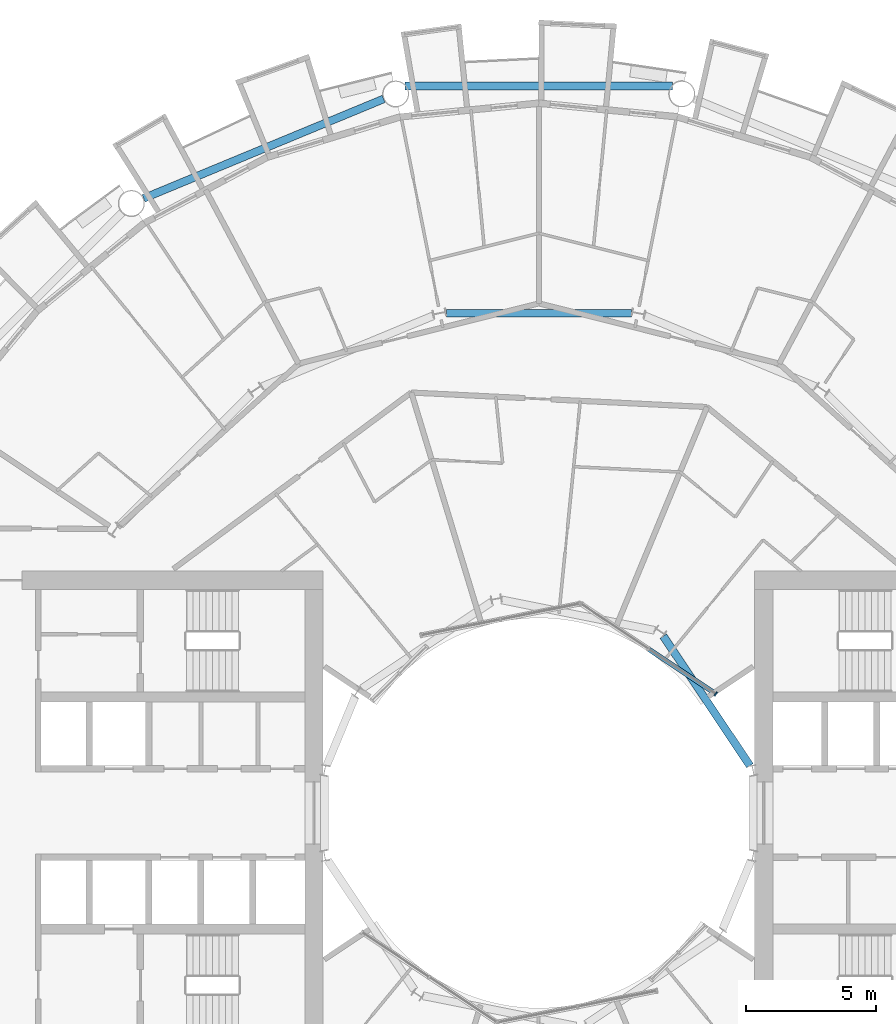
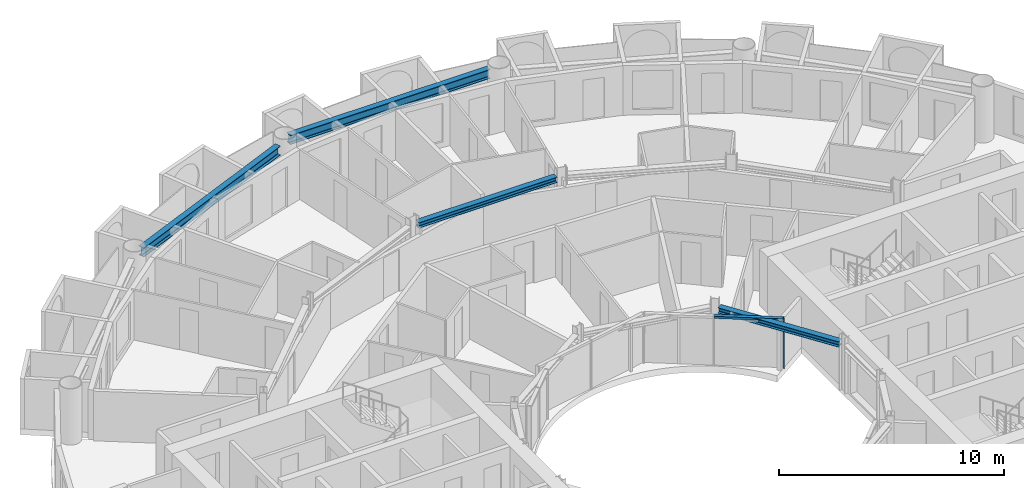
# One storey, part 8 of 26: 4 beams, 2 members, 1 element without a shape of its own.
"""IFC4 building model written with IfcOpenShell, lengths in metres."""

from ifc_helpers import new_model, si_unit, direction, frame, origin, origin_2d, place, context, subcontext, project, spatial, rectangle, i_section, extrude, material, layer, layer_set, material_profile, profile_set, type_object, element, aggregate, save


model = new_model("IFC4")

# Units and contexts
model_context = context("Model", 3, precision=1e-05, world=origin(), true_north=direction((0.0, 1.0)))
body_context = subcontext(model_context, "Body", "Model", "MODEL_VIEW")
ifc_project = project(units=[si_unit("LENGTHUNIT", "METRE"), si_unit("AREAUNIT", "SQUARE_METRE"), si_unit("VOLUMEUNIT", "CUBIC_METRE"), si_unit("PLANEANGLEUNIT", "RADIAN"), si_unit("MASSUNIT", "GRAM", prefix="KILO")], contexts=[model_context])

# Site, building, storey
site_placement = place(None, origin())
site = spatial("IfcSite", under=ifc_project, at=site_placement, CompositionType="ELEMENT")
building_placement = place(site_placement, origin())
building = spatial("IfcBuilding", under=site, at=building_placement, Name="Maasbend Ring Residences", CompositionType="ELEMENT")
storey_placement = place(building_placement, frame((0.0, 0.0, 84.949951171875)))
storey = spatial("IfcBuildingStorey", under=building, at=storey_placement, Name="L24", CompositionType="ELEMENT", Elevation=84.949951171875)

# Curtain wall, members
ifc_material_1 = material(Name="Aluminium and clear glass", Category="aluminium")
ifc_layer = layer(ifc_material_1, 0.179931640625)
ifc_layer_set = layer_set([ifc_layer], Name="CW-W")
curtain_wall_type = type_object("IfcCurtainWallType", Name="CW-W", PredefinedType="NOTDEFINED", material=ifc_layer_set)
curtain_wall_placement = place(storey_placement, origin())
curtain_wall = element("IfcCurtainWall", 1, at=curtain_wall_placement, inside=storey, type_object=curtain_wall_type, Name="Well curtain wall N1", PredefinedType="NOTDEFINED")
ifc_material_2 = material(Name="Aluminium 6063-T6", Category="aluminium")
ifc_material_profile_1 = material_profile(ifc_material_2, rectangle(XDim=0.179931640625, YDim=0.06005859375, at=origin_2d()), Name="AL 180x60")
ifc_profile_set_1 = profile_set([ifc_material_profile_1], Name="Aluminium 6063-T6")
member_type_1 = type_object("IfcMemberType", Name="CWM-W", PredefinedType="MULLION", material=ifc_profile_set_1)
member_1_placement = place(storey_placement, frame((6.805908203125, 4.580810546875, 0.0), z_axis=(0.0, 0.0, 1.0), x_axis=(-0.55557023302, -0.831469612303, 0.0)))
member_1 = element("IfcMember", 2, at=member_1_placement, type_object=member_type_1, Name="Mullion well face", PredefinedType="MULLION", context=body_context, shape_type="SweptSolid", body=[
    extrude(rectangle(XDim=0.179931640625, YDim=0.06005859375, at=origin_2d()), origin(), (0.0, 0.0, 1.0), 2.699951171875),
])
ifc_material_3 = material(Name="Aluminium 6063-T6", Category="aluminium")
ifc_material_profile_2 = material_profile(ifc_material_3, rectangle(XDim=0.179931640625, YDim=0.1201171875, at=origin_2d()), Name="AL 180x120")
ifc_profile_set_2 = profile_set([ifc_material_profile_2], Name="Aluminium 6063-T6")
member_type_2 = type_object("IfcMemberType", Name="CWT-W", PredefinedType="USERDEFINED", material=ifc_profile_set_2)
member_2_placement = place(storey_placement, frame((6.781005859375, 4.59765625, 2.64013671875), z_axis=(-0.831496422459, 0.555530106689, 0.0), x_axis=(-0.555530106689, -0.831496422459, 0.0)))
member_2 = element("IfcMember", 3, at=member_2_placement, type_object=member_type_2, Name="Transom well face", ObjectType="TRANSOM", PredefinedType="USERDEFINED", context=body_context, shape_type="SweptSolid", body=[
    extrude(rectangle(XDim=0.179931640625, YDim=0.1201171875, at=origin_2d()), origin(), (0.0, 0.0, 1.0), 3.053955078125),
])
aggregate(curtain_wall, [member_1, member_2])

# Beams
ifc_material_4 = material(Name="Steel S355J2", Category="steel")
ifc_material_profile_3 = material_profile(ifc_material_4, i_section(OverallWidth=0.300048828125, OverallDepth=0.300048828125, WebThickness=0.010986328125, FlangeThickness=0.01904296875, FilletRadius=0.027099609375, at=origin_2d()), Name="HEB 300")
ifc_profile_set_3 = profile_set([ifc_material_profile_3], Name="Steel S355J2")
beam_type_1 = type_object("IfcBeamType", Name="Corridor ring beam HEB 300", PredefinedType="BEAM", material=ifc_profile_set_3)
beam_1_placement = place(storey_placement, frame((3.556640625, 19.223388671875, 2.550048828125), z_axis=(-1.0, 0.0, 0.0), x_axis=(0.0, -1.0, 0.0)))
element("IfcBeam", 4, at=beam_1_placement, inside=storey, type_object=beam_type_1, Name="Corridor ring beam", PredefinedType="BEAM", context=body_context, shape_type="SweptSolid", body=[
    extrude(i_section(OverallWidth=0.300048828125, OverallDepth=0.300048828125, WebThickness=0.010986328125, FlangeThickness=0.01904296875, FilletRadius=0.027099609375, at=origin_2d()), origin(), (0.0, 0.0, 1.0), 7.11328125),
])
ifc_material_5 = material(Name="Steel S355J2", Category="steel")
ifc_material_profile_4 = material_profile(ifc_material_5, i_section(OverallWidth=0.300048828125, OverallDepth=0.5, WebThickness=0.014404296875, FlangeThickness=0.028076171875, FilletRadius=0.027099609375, at=origin_2d()), Name="HEB 500")
ifc_profile_set_4 = profile_set([ifc_material_profile_4], Name="Steel S355J2")
beam_type_2 = type_object("IfcBeamType", Name="Spandrel ring beam HEB 500", PredefinedType="SPANDREL", material=ifc_profile_set_4)
beam_2_placement = place(storey_placement, frame((5.1435546875, 27.9580078125, 2.449951171875), z_axis=(-1.0, 0.0, 0.0), x_axis=(0.0, -1.0, 0.0)))
element("IfcBeam", 5, at=beam_2_placement, inside=storey, type_object=beam_type_2, Name="Spandrel ring beam", PredefinedType="SPANDREL", context=body_context, shape_type="SweptSolid", body=[
    extrude(i_section(OverallWidth=0.300048828125, OverallDepth=0.5, WebThickness=0.014404296875, FlangeThickness=0.028076171875, FilletRadius=0.027099609375, at=origin_2d()), origin(), (0.0, 0.0, 1.0), 10.287109375),
])
beam_3_placement = place(storey_placement, frame((-5.970703125, 27.463623046875, 2.449951171875), z_axis=(-0.923886337442, -0.382667003395, 0.0), x_axis=(0.382667003395, -0.923886337442, 0.0)))
element("IfcBeam", 6, at=beam_3_placement, inside=storey, type_object=beam_type_2, Name="Spandrel ring beam", PredefinedType="SPANDREL", context=body_context, shape_type="SweptSolid", body=[
    extrude(i_section(OverallWidth=0.300048828125, OverallDepth=0.5, WebThickness=0.014404296875, FlangeThickness=0.028076171875, FilletRadius=0.027099609375, at=origin_2d()), origin(), (0.0, 0.0, 1.0), 9.9873046875),
])
ifc_material_6 = material(Name="Steel S355J2", Category="steel")
ifc_material_profile_5 = material_profile(ifc_material_6, i_section(OverallWidth=0.300048828125, OverallDepth=0.300048828125, WebThickness=0.010986328125, FlangeThickness=0.01904296875, FilletRadius=0.027099609375, at=origin_2d()), Name="HEB 300")
ifc_profile_set_5 = profile_set([ifc_material_profile_5], Name="Steel S355J2")
beam_type_3 = type_object("IfcBeamType", Name="Well edge beam HEB 300", PredefinedType="BEAM", material=ifc_profile_set_5)
beam_4_placement = place(storey_placement, frame((8.118408203125, 1.81884765625, 2.550048828125), z_axis=(-0.555592533493, 0.83145471117, 0.0), x_axis=(-0.83145471117, -0.555592533493, 0.0)))
element("IfcBeam", 7, at=beam_4_placement, inside=storey, type_object=beam_type_3, Name="Well edge beam", PredefinedType="BEAM", context=body_context, shape_type="SweptSolid", body=[
    extrude(i_section(OverallWidth=0.300048828125, OverallDepth=0.300048828125, WebThickness=0.010986328125, FlangeThickness=0.01904296875, FilletRadius=0.027099609375, at=origin_2d()), origin(), (0.0, 0.0, 1.0), 5.995849609375),
])

save(model, "model.ifc")
